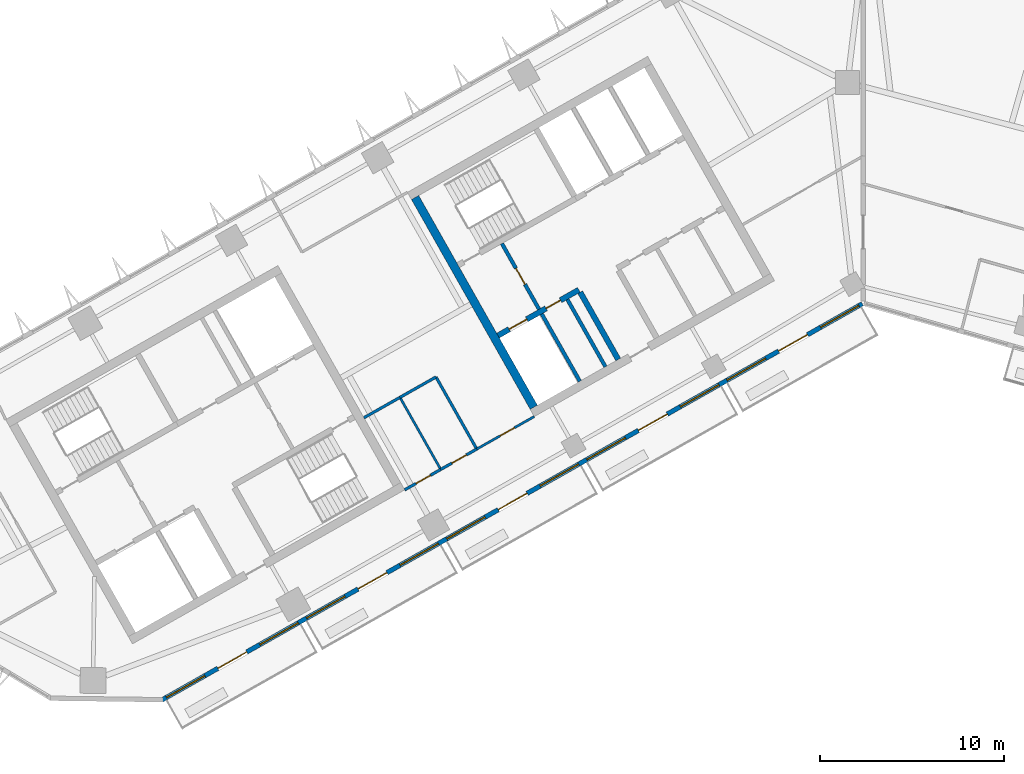
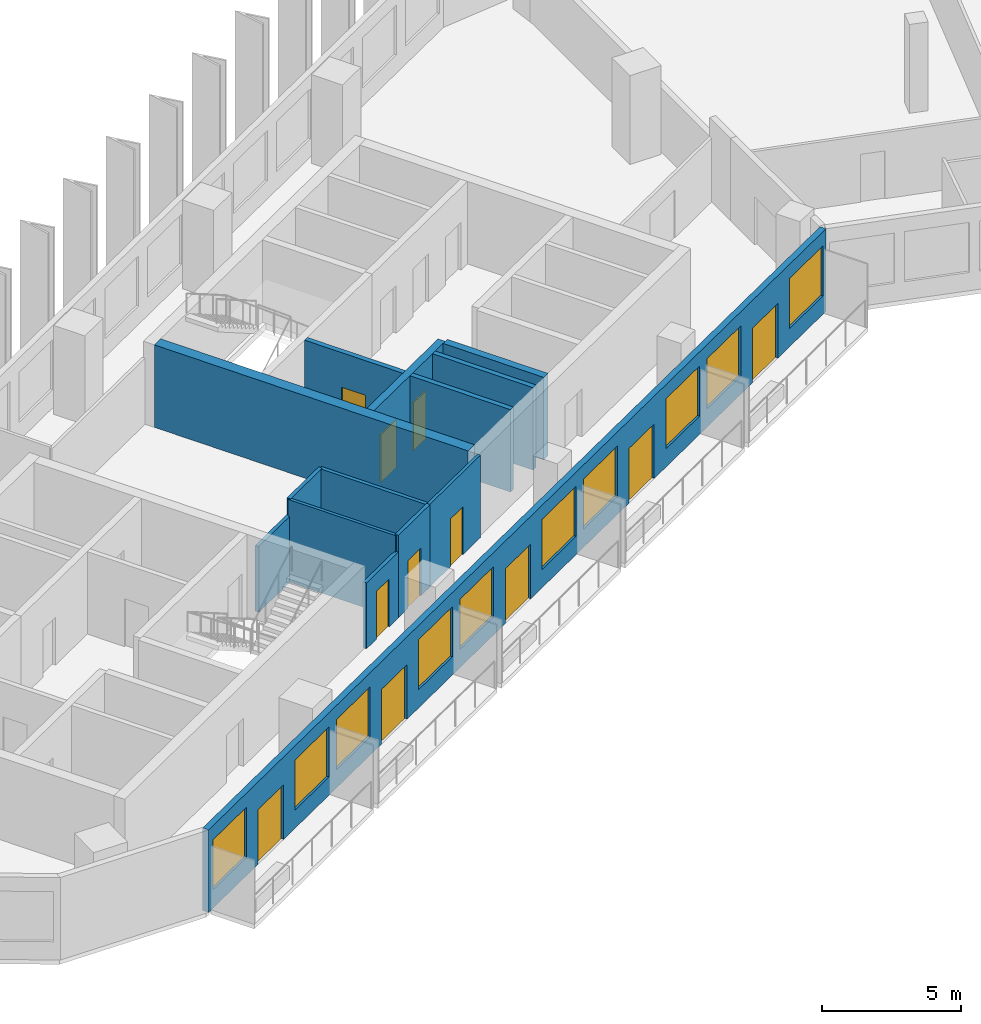
# One storey, part 5 of 12: 14 walls, 11 doors, 10 windows, 21 openings.
"""IFC4 building model written with IfcOpenShell, lengths in metres."""

from ifc_helpers import new_model, si_unit, direction, frame, frame_2d, origin, place, context, subcontext, project, spatial, rectangle, extrude, material, layer, layer_set, type_object, element, fill, save


model = new_model("IFC4")

# Units and contexts
model_context = context("Model", 3, precision=1e-05, world=origin(), true_north=direction((0.0, 1.0)))
body_context = subcontext(model_context, "Body", "Model", "MODEL_VIEW")
ifc_project = project(units=[si_unit("LENGTHUNIT", "METRE"), si_unit("AREAUNIT", "SQUARE_METRE"), si_unit("VOLUMEUNIT", "CUBIC_METRE"), si_unit("PLANEANGLEUNIT", "RADIAN"), si_unit("MASSUNIT", "GRAM", prefix="KILO")], contexts=[model_context])

# Site, building, storey
site_placement = place(None, origin())
site = spatial("IfcSite", under=ifc_project, at=site_placement, CompositionType="ELEMENT")
building_placement = place(site_placement, origin())
building = spatial("IfcBuilding", under=site, at=building_placement, Name="Binnacle Exchange Tower", CompositionType="ELEMENT")
storey_placement = place(building_placement, frame((0.0, 0.0, 246.5)))
storey = spatial("IfcBuildingStorey", under=building, at=storey_placement, Name="L54", CompositionType="ELEMENT", Elevation=246.5)

# Wall, openings, doors
ifc_material_1 = material(Name="Concrete C70/85", Category="concrete")
ifc_layer_1 = layer(ifc_material_1, 0.300048828125)
ifc_layer_set_1 = layer_set([ifc_layer_1], Name="Core wall - front 300")
wall_type_1 = type_object("IfcWallType", Name="Core wall - front 300", PredefinedType="SOLIDWALL", material=ifc_layer_set_1)
wall_1_placement = place(storey_placement, frame((-19.8486328125, 46.242431640625, 0.0), z_axis=(0.0, 0.0, 1.0), x_axis=(0.870347559728, 0.492437940532, 0.0)))
wall_1 = element("IfcWall", 1, at=wall_1_placement, inside=storey, type_object=wall_type_1, Name="Core wall CRWC2", PredefinedType="SOLIDWALL", context=body_context, shape_type="SweptSolid", body=[
    extrude(rectangle(XDim=5.050048828125, YDim=0.300048828125, at=frame_2d((2.52490234375, 0.0))), origin(), (0.0, 0.0, 1.0), 3.6201171875),
])
opening_1_placement = place(wall_1_placement, frame((0.7001953125, 0.0, 0.0)))
opening_1 = element("IfcOpeningElement", 2, at=opening_1_placement, cuts=wall_1, Name="Opening LD14", PredefinedType="OPENING", context=body_context, shape_type="SweptSolid", body=[
    extrude(rectangle(XDim=1.10009765625, YDim=2.10009765625, at=frame_2d((0.550048828125, 1.050048828125))), frame((0.0, 0.159912109375, 0.0), z_axis=(0.0, -1.0, 0.0), x_axis=(1.0, 0.0, 0.0)), (0.0, 0.0, 1.0), 0.320068359375),
])
opening_2_placement = place(wall_1_placement, frame((3.0, 0.0, 0.0)))
opening_2 = element("IfcOpeningElement", 3, at=opening_2_placement, cuts=wall_1, Name="Opening DC14", PredefinedType="OPENING", context=body_context, shape_type="SweptSolid", body=[
    extrude(rectangle(XDim=0.89990234375, YDim=2.10009765625, at=frame_2d((0.449951171875, 1.050048828125))), frame((0.0, 0.159912109375, 0.0), z_axis=(0.0, -1.0, 0.0), x_axis=(1.0, 0.0, 0.0)), (0.0, 0.0, 1.0), 0.320068359375),
])
ifc_material_2 = material(Name="Steel door leaf", Category="steel")
door_type_1 = type_object("IfcDoorType", Name="Fire door - lift landing 1100", OperationType="NOTDEFINED", PredefinedType="DOOR", material=ifc_material_2)
door_1_placement = place(opening_1_placement, origin())
door_1 = element("IfcDoor", 4, at=door_1_placement, inside=storey, type_object=door_type_1, Name="Landing door LD14 L54", OperationType="DOUBLE_DOOR_SLIDING", OverallHeight=2.10009765625, OverallWidth=1.10009765625, PredefinedType="DOOR", context=body_context, shape_type="SweptSolid", body=[
    extrude(rectangle(XDim=1.10009765625, YDim=2.10009765625, at=frame_2d((0.550048828125, 1.050048828125))), frame((0.0, 0.02490234375, 0.0), z_axis=(0.0, -1.0, 0.0), x_axis=(1.0, 0.0, 0.0)), (0.0, 0.0, 1.0), 0.050048828125),
])
fill(opening_1, door_1)
door_type_2 = type_object("IfcDoorType", Name="Fire door 900", OperationType="NOTDEFINED", PredefinedType="DOOR", material=ifc_material_2)
door_2_placement = place(opening_2_placement, frame((0.89990234375, 0.0, 0.0), z_axis=(0.0, 0.0, 1.0), x_axis=(-1.0, 0.0, 0.0)))
door_2 = element("IfcDoor", 5, at=door_2_placement, inside=storey, type_object=door_type_2, Name="Core room door CLEANERS STORE", OperationType="SINGLE_SWING_LEFT", OverallHeight=2.10009765625, OverallWidth=0.89990234375, PredefinedType="DOOR", context=body_context, shape_type="SweptSolid", body=[
    extrude(rectangle(XDim=0.89990234375, YDim=2.10009765625, at=frame_2d((0.449951171875, 1.050048828125))), frame((0.0, 0.02490234375, 0.0), z_axis=(0.0, -1.0, 0.0), x_axis=(1.0, 0.0, 0.0)), (0.0, 0.0, 1.0), 0.050048828125),
])
fill(opening_2, door_2)

# Walls
wall_2_placement = place(storey_placement, frame((-15.37939453125, 48.5986328125, 0.0), z_axis=(0.0, 0.0, 1.0), x_axis=(0.492409653846, -0.870363563575, 0.0)))
element("IfcWall", 6, at=wall_2_placement, inside=storey, type_object=wall_type_1, Name="Core wall CRWC13", PredefinedType="SOLIDWALL", context=body_context, shape_type="SweptSolid", body=[
    extrude(rectangle(XDim=4.199951171875, YDim=0.300048828125, at=frame_2d((2.10009765625, 0.0))), origin(), (0.0, 0.0, 1.0), 3.6201171875),
])
ifc_layer_2 = layer(ifc_material_1, 0.449951171875)
ifc_layer_set_2 = layer_set([ifc_layer_2], Name="Core wall - outer 450")
wall_type_2 = type_object("IfcWallType", Name="Core wall - outer 450", PredefinedType="SOLIDWALL", material=ifc_layer_set_2)
wall_3_placement = place(storey_placement, frame((-24.353271484375, 53.747314453125, 0.0), z_axis=(0.0, 0.0, 1.0), x_axis=(0.492435496286, -0.870348942665, 0.0)))
element("IfcWall", 7, at=wall_3_placement, inside=storey, type_object=wall_type_2, Name="Core wall CRWC7", PredefinedType="SOLIDWALL", context=body_context, shape_type="SweptSolid", body=[
    extrude(rectangle(XDim=13.10009765625, YDim=0.449951171875, at=frame_2d((6.550048828125, 0.0))), origin(), (0.0, 0.0, 1.0), 3.6201171875),
])

# Wall, openings, doors, windows
ifc_material_3 = material(Name="Bronze aluminium cladding", Category="aluminium")
ifc_layer_3 = layer(ifc_material_3, 0.25)
ifc_layer_set_3 = layer_set([ifc_layer_3], Name="External wall - window wall 250")
wall_type_3 = type_object("IfcWallType", Name="External wall - window wall 250", PredefinedType="STANDARD", material=ifc_layer_set_3)
wall_4_placement = place(storey_placement, frame((-0.045654296875, 47.97412109375, 0.0), z_axis=(0.0, 0.0, 1.0), x_axis=(-0.870356579543, -0.492421998337, 0.0)))
wall_4 = element("IfcWall", 8, at=wall_4_placement, inside=storey, type_object=wall_type_3, Name="External wall EW-G01 L54", PredefinedType="STANDARD", context=body_context, shape_type="SweptSolid", body=[
    extrude(rectangle(XDim=43.75390625, YDim=0.25, at=frame_2d((21.876953125, 0.0))), origin(), (0.0, 0.0, 1.0), 3.6201171875),
])
opening_3_placement = place(wall_4_placement, frame((41.061279296875, 0.0, 0.800048828125)))
opening_3 = element("IfcOpeningElement", 9, at=opening_3_placement, cuts=wall_4, Name="Opening WR1", PredefinedType="OPENING", context=body_context, shape_type="SweptSolid", body=[
    extrude(rectangle(XDim=2.39990234375, YDim=2.199951171875, at=frame_2d((1.199951171875, 1.10009765625))), frame((0.0, 0.135009765625, 0.0), z_axis=(0.0, -1.0, 0.0), x_axis=(1.0, 0.0, 0.0)), (0.0, 0.0, 1.0), 0.27001953125),
])
opening_4_placement = place(wall_4_placement, frame((38.443115234375, 0.0, 0.0)))
opening_4 = element("IfcOpeningElement", 10, at=opening_4_placement, cuts=wall_4, Name="Opening D-FS15-01", PredefinedType="OPENING", context=body_context, shape_type="SweptSolid", body=[
    extrude(rectangle(XDim=1.800048828125, YDim=2.39990234375, at=frame_2d((0.89990234375, 1.199951171875))), frame((0.0, 0.135009765625, 0.0), z_axis=(0.0, -1.0, 0.0), x_axis=(1.0, 0.0, 0.0)), (0.0, 0.0, 1.0), 0.27001953125),
])
opening_5_placement = place(wall_4_placement, frame((35.224853515625, 0.0, 0.800048828125)))
opening_5 = element("IfcOpeningElement", 11, at=opening_5_placement, cuts=wall_4, Name="Opening WR1", PredefinedType="OPENING", context=body_context, shape_type="SweptSolid", body=[
    extrude(rectangle(XDim=2.39990234375, YDim=2.199951171875, at=frame_2d((1.199951171875, 1.10009765625))), frame((0.0, 0.135009765625, 0.0), z_axis=(0.0, -1.0, 0.0), x_axis=(1.0, 0.0, 0.0)), (0.0, 0.0, 1.0), 0.27001953125),
])
opening_6_placement = place(wall_4_placement, frame((32.306640625, 0.0, 0.800048828125)))
opening_6 = element("IfcOpeningElement", 12, at=opening_6_placement, cuts=wall_4, Name="Opening WR1", PredefinedType="OPENING", context=body_context, shape_type="SweptSolid", body=[
    extrude(rectangle(XDim=2.39990234375, YDim=2.199951171875, at=frame_2d((1.199951171875, 1.10009765625))), frame((0.0, 0.135009765625, 0.0), z_axis=(0.0, -1.0, 0.0), x_axis=(1.0, 0.0, 0.0)), (0.0, 0.0, 1.0), 0.27001953125),
])
opening_7_placement = place(wall_4_placement, frame((29.6884765625, 0.0, 0.0)))
opening_7 = element("IfcOpeningElement", 13, at=opening_7_placement, cuts=wall_4, Name="Opening D-FS15-02", PredefinedType="OPENING", context=body_context, shape_type="SweptSolid", body=[
    extrude(rectangle(XDim=1.800048828125, YDim=2.39990234375, at=frame_2d((0.89990234375, 1.199951171875))), frame((0.0, 0.135009765625, 0.0), z_axis=(0.0, -1.0, 0.0), x_axis=(1.0, 0.0, 0.0)), (0.0, 0.0, 1.0), 0.27001953125),
])
opening_8_placement = place(wall_4_placement, frame((26.47021484375, 0.0, 0.800048828125)))
opening_8 = element("IfcOpeningElement", 14, at=opening_8_placement, cuts=wall_4, Name="Opening WR1", PredefinedType="OPENING", context=body_context, shape_type="SweptSolid", body=[
    extrude(rectangle(XDim=2.39990234375, YDim=2.199951171875, at=frame_2d((1.199951171875, 1.10009765625))), frame((0.0, 0.135009765625, 0.0), z_axis=(0.0, -1.0, 0.0), x_axis=(1.0, 0.0, 0.0)), (0.0, 0.0, 1.0), 0.27001953125),
])
opening_9_placement = place(wall_4_placement, frame((23.552001953125, 0.0, 0.800048828125)))
opening_9 = element("IfcOpeningElement", 15, at=opening_9_placement, cuts=wall_4, Name="Opening WR1", PredefinedType="OPENING", context=body_context, shape_type="SweptSolid", body=[
    extrude(rectangle(XDim=2.39990234375, YDim=2.199951171875, at=frame_2d((1.199951171875, 1.10009765625))), frame((0.0, 0.135009765625, 0.0), z_axis=(0.0, -1.0, 0.0), x_axis=(1.0, 0.0, 0.0)), (0.0, 0.0, 1.0), 0.27001953125),
])
opening_10_placement = place(wall_4_placement, frame((20.93408203125, 0.0, 0.0)))
opening_10 = element("IfcOpeningElement", 16, at=opening_10_placement, cuts=wall_4, Name="Opening D-FS15-03", PredefinedType="OPENING", context=body_context, shape_type="SweptSolid", body=[
    extrude(rectangle(XDim=1.7998046875, YDim=2.39990234375, at=frame_2d((0.89990234375, 1.199951171875))), frame((0.0, 0.135009765625, 0.0), z_axis=(0.0, -1.0, 0.0), x_axis=(1.0, 0.0, 0.0)), (0.0, 0.0, 1.0), 0.27001953125),
])
opening_11_placement = place(wall_4_placement, frame((17.7158203125, 0.0, 0.800048828125)))
opening_11 = element("IfcOpeningElement", 17, at=opening_11_placement, cuts=wall_4, Name="Opening WR1", PredefinedType="OPENING", context=body_context, shape_type="SweptSolid", body=[
    extrude(rectangle(XDim=2.39990234375, YDim=2.199951171875, at=frame_2d((1.199951171875, 1.10009765625))), frame((0.0, 0.135009765625, 0.0), z_axis=(0.0, -1.0, 0.0), x_axis=(1.0, 0.0, 0.0)), (0.0, 0.0, 1.0), 0.27001953125),
])
opening_12_placement = place(wall_4_placement, frame((14.797607421875, 0.0, 0.800048828125)))
opening_12 = element("IfcOpeningElement", 18, at=opening_12_placement, cuts=wall_4, Name="Opening WR1", PredefinedType="OPENING", context=body_context, shape_type="SweptSolid", body=[
    extrude(rectangle(XDim=2.39990234375, YDim=2.199951171875, at=frame_2d((1.199951171875, 1.10009765625))), frame((0.0, 0.135009765625, 0.0), z_axis=(0.0, -1.0, 0.0), x_axis=(1.0, 0.0, 0.0)), (0.0, 0.0, 1.0), 0.27001953125),
])
opening_13_placement = place(wall_4_placement, frame((12.179443359375, 0.0, 0.0)))
opening_13 = element("IfcOpeningElement", 19, at=opening_13_placement, cuts=wall_4, Name="Opening D-FS15-04", PredefinedType="OPENING", context=body_context, shape_type="SweptSolid", body=[
    extrude(rectangle(XDim=1.800048828125, YDim=2.39990234375, at=frame_2d((0.89990234375, 1.199951171875))), frame((0.0, 0.135009765625, 0.0), z_axis=(0.0, -1.0, 0.0), x_axis=(1.0, 0.0, 0.0)), (0.0, 0.0, 1.0), 0.27001953125),
])
opening_14_placement = place(wall_4_placement, frame((8.961181640625, 0.0, 0.800048828125)))
opening_14 = element("IfcOpeningElement", 20, at=opening_14_placement, cuts=wall_4, Name="Opening WR1", PredefinedType="OPENING", context=body_context, shape_type="SweptSolid", body=[
    extrude(rectangle(XDim=2.39990234375, YDim=2.199951171875, at=frame_2d((1.199951171875, 1.10009765625))), frame((0.0, 0.135009765625, 0.0), z_axis=(0.0, -1.0, 0.0), x_axis=(1.0, 0.0, 0.0)), (0.0, 0.0, 1.0), 0.27001953125),
])
opening_15_placement = place(wall_4_placement, frame((6.04296875, 0.0, 0.800048828125)))
opening_15 = element("IfcOpeningElement", 21, at=opening_15_placement, cuts=wall_4, Name="Opening WR1", PredefinedType="OPENING", context=body_context, shape_type="SweptSolid", body=[
    extrude(rectangle(XDim=2.400146484375, YDim=2.199951171875, at=frame_2d((1.2001953125, 1.10009765625))), frame((0.0, 0.135009765625, 0.0), z_axis=(0.0, -1.0, 0.0), x_axis=(1.0, 0.0, 0.0)), (0.0, 0.0, 1.0), 0.27001953125),
])
opening_16_placement = place(wall_4_placement, frame((3.4248046875, 0.0, 0.0)))
opening_16 = element("IfcOpeningElement", 22, at=opening_16_placement, cuts=wall_4, Name="Opening D-FS15-05", PredefinedType="OPENING", context=body_context, shape_type="SweptSolid", body=[
    extrude(rectangle(XDim=1.800048828125, YDim=2.39990234375, at=frame_2d((0.89990234375, 1.199951171875))), frame((0.0, 0.135009765625, 0.0), z_axis=(0.0, -1.0, 0.0), x_axis=(1.0, 0.0, 0.0)), (0.0, 0.0, 1.0), 0.27001953125),
])
opening_17_placement = place(wall_4_placement, frame((0.206787109375, 0.0, 0.800048828125)))
opening_17 = element("IfcOpeningElement", 23, at=opening_17_placement, cuts=wall_4, Name="Opening WR1", PredefinedType="OPENING", context=body_context, shape_type="SweptSolid", body=[
    extrude(rectangle(XDim=2.39990234375, YDim=2.199951171875, at=frame_2d((1.199951171875, 1.10009765625))), frame((0.0, 0.135009765625, 0.0), z_axis=(0.0, -1.0, 0.0), x_axis=(1.0, 0.0, 0.0)), (0.0, 0.0, 1.0), 0.27001953125),
])
ifc_material_4 = material(Name="Bronze anodised aluminium frame", Category="aluminium")
door_type_3 = type_object("IfcDoorType", Name="DB DOOR 1800x2400", OperationType="DOUBLE_DOOR_SINGLE_SWING", PredefinedType="DOOR", material=ifc_material_4)
door_3_placement = place(opening_4_placement, origin())
door_3 = element("IfcDoor", 24, at=door_3_placement, inside=storey, type_object=door_type_3, Name="Door D-FS15-01 L54", OperationType="DOUBLE_DOOR_SINGLE_SWING", OverallHeight=2.39990234375, OverallWidth=1.800048828125, PredefinedType="DOOR", context=body_context, shape_type="SweptSolid", body=[
    extrude(rectangle(XDim=1.800048828125, YDim=2.39990234375, at=frame_2d((0.89990234375, 1.199951171875))), frame((0.0, 0.02490234375, 0.0), z_axis=(0.0, -1.0, 0.0), x_axis=(1.0, 0.0, 0.0)), (0.0, 0.0, 1.0), 0.050048828125),
])
fill(opening_4, door_3)
door_4_placement = place(opening_7_placement, origin())
door_4 = element("IfcDoor", 25, at=door_4_placement, inside=storey, type_object=door_type_3, Name="Door D-FS15-02 L54", OperationType="DOUBLE_DOOR_SINGLE_SWING", OverallHeight=2.39990234375, OverallWidth=1.800048828125, PredefinedType="DOOR", context=body_context, shape_type="SweptSolid", body=[
    extrude(rectangle(XDim=1.800048828125, YDim=2.39990234375, at=frame_2d((0.89990234375, 1.199951171875))), frame((0.0, 0.02490234375, 0.0), z_axis=(0.0, -1.0, 0.0), x_axis=(1.0, 0.0, 0.0)), (0.0, 0.0, 1.0), 0.050048828125),
])
fill(opening_7, door_4)
door_5_placement = place(opening_10_placement, origin())
door_5 = element("IfcDoor", 26, at=door_5_placement, inside=storey, type_object=door_type_3, Name="Door D-FS15-03 L54", OperationType="DOUBLE_DOOR_SINGLE_SWING", OverallHeight=2.39990234375, OverallWidth=1.7998046875, PredefinedType="DOOR", context=body_context, shape_type="SweptSolid", body=[
    extrude(rectangle(XDim=1.7998046875, YDim=2.39990234375, at=frame_2d((0.89990234375, 1.199951171875))), frame((0.0, 0.02490234375, 0.0), z_axis=(0.0, -1.0, 0.0), x_axis=(1.0, 0.0, 0.0)), (0.0, 0.0, 1.0), 0.050048828125),
])
fill(opening_10, door_5)
door_6_placement = place(opening_13_placement, origin())
door_6 = element("IfcDoor", 27, at=door_6_placement, inside=storey, type_object=door_type_3, Name="Door D-FS15-04 L54", OperationType="DOUBLE_DOOR_SINGLE_SWING", OverallHeight=2.39990234375, OverallWidth=1.800048828125, PredefinedType="DOOR", context=body_context, shape_type="SweptSolid", body=[
    extrude(rectangle(XDim=1.800048828125, YDim=2.39990234375, at=frame_2d((0.89990234375, 1.199951171875))), frame((0.0, 0.02490234375, 0.0), z_axis=(0.0, -1.0, 0.0), x_axis=(1.0, 0.0, 0.0)), (0.0, 0.0, 1.0), 0.050048828125),
])
fill(opening_13, door_6)
door_7_placement = place(opening_16_placement, origin())
door_7 = element("IfcDoor", 28, at=door_7_placement, inside=storey, type_object=door_type_3, Name="Door D-FS15-05 L54", OperationType="DOUBLE_DOOR_SINGLE_SWING", OverallHeight=2.39990234375, OverallWidth=1.800048828125, PredefinedType="DOOR", context=body_context, shape_type="SweptSolid", body=[
    extrude(rectangle(XDim=1.800048828125, YDim=2.39990234375, at=frame_2d((0.89990234375, 1.199951171875))), frame((0.0, 0.02490234375, 0.0), z_axis=(0.0, -1.0, 0.0), x_axis=(1.0, 0.0, 0.0)), (0.0, 0.0, 1.0), 0.050048828125),
])
fill(opening_16, door_7)
window_type = type_object("IfcWindowType", Name="WR1 WINDOW 2400x2200", PartitioningType="SINGLE_PANEL", PredefinedType="WINDOW", material=ifc_material_4)
window_1_placement = place(opening_3_placement, origin())
window_1 = element("IfcWindow", 29, at=window_1_placement, inside=storey, type_object=window_type, Name="Window WR1 L54", OverallHeight=2.199951171875, OverallWidth=2.39990234375, PartitioningType="SINGLE_PANEL", PredefinedType="WINDOW", context=body_context, shape_type="SweptSolid", body=[
    extrude(rectangle(XDim=2.39990234375, YDim=2.199951171875, at=frame_2d((1.199951171875, 1.10009765625))), frame((0.0, 0.030029296875, 0.0), z_axis=(0.0, -1.0, 0.0), x_axis=(1.0, 0.0, 0.0)), (0.0, 0.0, 1.0), 0.06005859375),
])
fill(opening_3, window_1)
window_2_placement = place(opening_5_placement, origin())
window_2 = element("IfcWindow", 30, at=window_2_placement, inside=storey, type_object=window_type, Name="Window WR1 L54", OverallHeight=2.199951171875, OverallWidth=2.39990234375, PartitioningType="SINGLE_PANEL", PredefinedType="WINDOW", context=body_context, shape_type="SweptSolid", body=[
    extrude(rectangle(XDim=2.39990234375, YDim=2.199951171875, at=frame_2d((1.199951171875, 1.10009765625))), frame((0.0, 0.030029296875, 0.0), z_axis=(0.0, -1.0, 0.0), x_axis=(1.0, 0.0, 0.0)), (0.0, 0.0, 1.0), 0.06005859375),
])
fill(opening_5, window_2)
window_3_placement = place(opening_6_placement, origin())
window_3 = element("IfcWindow", 31, at=window_3_placement, inside=storey, type_object=window_type, Name="Window WR1 L54", OverallHeight=2.199951171875, OverallWidth=2.39990234375, PartitioningType="SINGLE_PANEL", PredefinedType="WINDOW", context=body_context, shape_type="SweptSolid", body=[
    extrude(rectangle(XDim=2.39990234375, YDim=2.199951171875, at=frame_2d((1.199951171875, 1.10009765625))), frame((0.0, 0.030029296875, 0.0), z_axis=(0.0, -1.0, 0.0), x_axis=(1.0, 0.0, 0.0)), (0.0, 0.0, 1.0), 0.06005859375),
])
fill(opening_6, window_3)
window_4_placement = place(opening_8_placement, origin())
window_4 = element("IfcWindow", 32, at=window_4_placement, inside=storey, type_object=window_type, Name="Window WR1 L54", OverallHeight=2.199951171875, OverallWidth=2.39990234375, PartitioningType="SINGLE_PANEL", PredefinedType="WINDOW", context=body_context, shape_type="SweptSolid", body=[
    extrude(rectangle(XDim=2.39990234375, YDim=2.199951171875, at=frame_2d((1.199951171875, 1.10009765625))), frame((0.0, 0.030029296875, 0.0), z_axis=(0.0, -1.0, 0.0), x_axis=(1.0, 0.0, 0.0)), (0.0, 0.0, 1.0), 0.06005859375),
])
fill(opening_8, window_4)
window_5_placement = place(opening_9_placement, origin())
window_5 = element("IfcWindow", 33, at=window_5_placement, inside=storey, type_object=window_type, Name="Window WR1 L54", OverallHeight=2.199951171875, OverallWidth=2.39990234375, PartitioningType="SINGLE_PANEL", PredefinedType="WINDOW", context=body_context, shape_type="SweptSolid", body=[
    extrude(rectangle(XDim=2.39990234375, YDim=2.199951171875, at=frame_2d((1.199951171875, 1.10009765625))), frame((0.0, 0.030029296875, 0.0), z_axis=(0.0, -1.0, 0.0), x_axis=(1.0, 0.0, 0.0)), (0.0, 0.0, 1.0), 0.06005859375),
])
fill(opening_9, window_5)
window_6_placement = place(opening_11_placement, origin())
window_6 = element("IfcWindow", 34, at=window_6_placement, inside=storey, type_object=window_type, Name="Window WR1 L54", OverallHeight=2.199951171875, OverallWidth=2.39990234375, PartitioningType="SINGLE_PANEL", PredefinedType="WINDOW", context=body_context, shape_type="SweptSolid", body=[
    extrude(rectangle(XDim=2.39990234375, YDim=2.199951171875, at=frame_2d((1.199951171875, 1.10009765625))), frame((0.0, 0.030029296875, 0.0), z_axis=(0.0, -1.0, 0.0), x_axis=(1.0, 0.0, 0.0)), (0.0, 0.0, 1.0), 0.06005859375),
])
fill(opening_11, window_6)
window_7_placement = place(opening_12_placement, origin())
window_7 = element("IfcWindow", 35, at=window_7_placement, inside=storey, type_object=window_type, Name="Window WR1 L54", OverallHeight=2.199951171875, OverallWidth=2.39990234375, PartitioningType="SINGLE_PANEL", PredefinedType="WINDOW", context=body_context, shape_type="SweptSolid", body=[
    extrude(rectangle(XDim=2.39990234375, YDim=2.199951171875, at=frame_2d((1.199951171875, 1.10009765625))), frame((0.0, 0.030029296875, 0.0), z_axis=(0.0, -1.0, 0.0), x_axis=(1.0, 0.0, 0.0)), (0.0, 0.0, 1.0), 0.06005859375),
])
fill(opening_12, window_7)
window_8_placement = place(opening_14_placement, origin())
window_8 = element("IfcWindow", 36, at=window_8_placement, inside=storey, type_object=window_type, Name="Window WR1 L54", OverallHeight=2.199951171875, OverallWidth=2.39990234375, PartitioningType="SINGLE_PANEL", PredefinedType="WINDOW", context=body_context, shape_type="SweptSolid", body=[
    extrude(rectangle(XDim=2.39990234375, YDim=2.199951171875, at=frame_2d((1.199951171875, 1.10009765625))), frame((0.0, 0.030029296875, 0.0), z_axis=(0.0, -1.0, 0.0), x_axis=(1.0, 0.0, 0.0)), (0.0, 0.0, 1.0), 0.06005859375),
])
fill(opening_14, window_8)
window_9_placement = place(opening_15_placement, origin())
window_9 = element("IfcWindow", 37, at=window_9_placement, inside=storey, type_object=window_type, Name="Window WR1 L54", OverallHeight=2.199951171875, OverallWidth=2.400146484375, PartitioningType="SINGLE_PANEL", PredefinedType="WINDOW", context=body_context, shape_type="SweptSolid", body=[
    extrude(rectangle(XDim=2.400146484375, YDim=2.199951171875, at=frame_2d((1.2001953125, 1.10009765625))), frame((0.0, 0.030029296875, 0.0), z_axis=(0.0, -1.0, 0.0), x_axis=(1.0, 0.0, 0.0)), (0.0, 0.0, 1.0), 0.06005859375),
])
fill(opening_15, window_9)
window_10_placement = place(opening_17_placement, origin())
window_10 = element("IfcWindow", 38, at=window_10_placement, inside=storey, type_object=window_type, Name="Window WR1 L54", OverallHeight=2.199951171875, OverallWidth=2.39990234375, PartitioningType="SINGLE_PANEL", PredefinedType="WINDOW", context=body_context, shape_type="SweptSolid", body=[
    extrude(rectangle(XDim=2.39990234375, YDim=2.199951171875, at=frame_2d((1.199951171875, 1.10009765625))), frame((0.0, 0.030029296875, 0.0), z_axis=(0.0, -1.0, 0.0), x_axis=(1.0, 0.0, 0.0)), (0.0, 0.0, 1.0), 0.06005859375),
])
fill(opening_17, window_10)

# Wall, opening, door
ifc_material_5 = material(Name="Masonry block wall", Category="masonry")
ifc_layer_4 = layer(ifc_material_5, 0.199951171875)
ifc_layer_set_4 = layer_set([ifc_layer_4], Name="Fire wall - vestibule 200")
wall_type_4 = type_object("IfcWallType", Name="Fire wall - vestibule 200", PredefinedType="PARTITIONING", material=ifc_layer_set_4)
wall_5_placement = place(storey_placement, frame((-19.635009765625, 51.246337890625, 0.0), z_axis=(0.0, 0.0, 1.0), x_axis=(0.492408451753, -0.87036424366, 0.0)))
wall_5 = element("IfcWall", 39, at=wall_5_placement, inside=storey, type_object=wall_type_4, Name="Core wall CRWC10", PredefinedType="PARTITIONING", context=body_context, shape_type="SweptSolid", body=[
    extrude(rectangle(XDim=4.099853515625, YDim=0.199951171875, at=frame_2d((2.0498046875, 0.0))), origin(), (0.0, 0.0, 1.0), 3.6201171875),
])
opening_18_placement = place(wall_5_placement, frame((1.550048828125, 0.0, 0.0)))
opening_18 = element("IfcOpeningElement", 40, at=opening_18_placement, cuts=wall_5, Name="Opening DC3", PredefinedType="OPENING", context=body_context, shape_type="SweptSolid", body=[
    extrude(rectangle(XDim=1.0, YDim=2.10009765625, at=frame_2d((0.5, 1.050048828125))), frame((0.0, 0.10986328125, 0.0), z_axis=(0.0, -1.0, 0.0), x_axis=(1.0, 0.0, 0.0)), (0.0, 0.0, 1.0), 0.219970703125),
])
door_type_4 = type_object("IfcDoorType", Name="Fire door 1000", OperationType="NOTDEFINED", PredefinedType="DOOR", material=ifc_material_2)
door_8_placement = place(opening_18_placement, frame((1.0, 0.0, 0.0), z_axis=(0.0, 0.0, 1.0), x_axis=(-1.0, 0.0, 0.0)))
door_8 = element("IfcDoor", 41, at=door_8_placement, inside=storey, type_object=door_type_4, Name="Vestibule door VEST-W", OperationType="SINGLE_SWING_RIGHT", OverallHeight=2.10009765625, OverallWidth=1.0, PredefinedType="DOOR", context=body_context, shape_type="SweptSolid", body=[
    extrude(rectangle(XDim=1.0, YDim=2.10009765625, at=frame_2d((0.5, 1.050048828125))), frame((0.0, 0.02490234375, 0.0), z_axis=(0.0, -1.0, 0.0), x_axis=(1.0, 0.0, 0.0)), (0.0, 0.0, 1.0), 0.050048828125),
])
fill(opening_18, door_8)

# Walls
ifc_material_6 = material(Name="Gypsum partition fire rated")
ifc_layer_5 = layer(ifc_material_6, 0.14990234375)
ifc_layer_set_5 = layer_set([ifc_layer_5], Name="Fire-rated partition 150")
wall_type_5 = type_object("IfcWallType", Name="Fire-rated partition 150", PredefinedType="PARTITIONING", material=ifc_layer_set_5)
wall_6_placement = place(storey_placement, frame((-27.134033203125, 41.77587890625, 0.0), z_axis=(0.0, 0.0, 1.0), x_axis=(0.870285818058, 0.4925470484, 0.0)))
element("IfcWall", 42, at=wall_6_placement, inside=storey, type_object=wall_type_5, Name="Partition W08", PredefinedType="PARTITIONING", context=body_context, shape_type="SweptSolid", body=[
    extrude(rectangle(XDim=2.249755859375, YDim=0.14990234375, at=frame_2d((1.125, 0.0))), origin(), (0.0, 0.0, 1.0), 2.89208984375),
])
wall_7_placement = place(storey_placement, frame((-25.176025390625, 42.884033203125, 0.0), z_axis=(0.0, 0.0, 1.0), x_axis=(0.870332332106, 0.492464853254, 0.0)))
element("IfcWall", 43, at=wall_7_placement, inside=storey, type_object=wall_type_5, Name="Partition W09", PredefinedType="PARTITIONING", context=body_context, shape_type="SweptSolid", body=[
    extrude(rectangle(XDim=2.249755859375, YDim=0.14990234375, at=frame_2d((1.125, 0.0))), origin(), (0.0, 0.0, 1.0), 3.6201171875),
])

# Wall, opening, door
wall_8_placement = place(storey_placement, frame((-24.9189453125, 37.85888671875, 0.0), z_axis=(0.0, 0.0, 1.0), x_axis=(0.870391061957, 0.492361045641, 0.0)))
wall_8 = element("IfcWall", 44, at=wall_8_placement, inside=storey, type_object=wall_type_5, Name="Partition W11", PredefinedType="PARTITIONING", context=body_context, shape_type="SweptSolid", body=[
    extrude(rectangle(XDim=2.250732421875, YDim=0.14990234375, at=frame_2d((1.12548828125, 0.0))), origin(), (0.0, 0.0, 1.0), 2.89208984375),
])
opening_19_placement = place(wall_8_placement, frame((0.699951171875, 0.0, 0.0)))
opening_19 = element("IfcOpeningElement", 45, at=opening_19_placement, cuts=wall_8, Name="Opening DL52-02", PredefinedType="OPENING", context=body_context, shape_type="SweptSolid", body=[
    extrude(rectangle(XDim=0.89990234375, YDim=2.10009765625, at=frame_2d((0.449951171875, 1.050048828125))), frame((0.0, 0.0849609375, 0.0), z_axis=(0.0, -1.0, 0.0), x_axis=(1.0, 0.0, 0.0)), (0.0, 0.0, 1.0), 0.169921875),
])
door_9_placement = place(opening_19_placement, origin())
door_9 = element("IfcDoor", 46, at=door_9_placement, inside=storey, type_object=door_type_2, Name="Door DL52-02", OperationType="SINGLE_SWING_RIGHT", OverallHeight=2.10009765625, OverallWidth=0.89990234375, PredefinedType="DOOR", context=body_context, shape_type="SweptSolid", body=[
    extrude(rectangle(XDim=0.89990234375, YDim=2.10009765625, at=frame_2d((0.449951171875, 1.050048828125))), frame((0.0, 0.02490234375, 0.0), z_axis=(0.0, -1.0, 0.0), x_axis=(1.0, 0.0, 0.0)), (0.0, 0.0, 1.0), 0.050048828125),
])
fill(opening_19, door_9)

# Wall
wall_9_placement = place(storey_placement, frame((-23.218017578125, 43.991943359375, 0.0), z_axis=(0.0, 0.0, 1.0), x_axis=(0.492412939134, -0.87036170491, 0.0)))
element("IfcWall", 47, at=wall_9_placement, inside=storey, type_object=wall_type_5, Name="Partition W12", PredefinedType="PARTITIONING", context=body_context, shape_type="SweptSolid", body=[
    extrude(rectangle(XDim=4.50048828125, YDim=0.14990234375, at=frame_2d((2.250244140625, 0.0))), origin(), (0.0, 0.0, 1.0), 3.6201171875),
])

# Wall, opening, door
wall_10_placement = place(storey_placement, frame((-22.9599609375, 38.967041015625, 0.0), z_axis=(0.0, 0.0, 1.0), x_axis=(0.870332332106, 0.492464853254, 0.0)))
wall_10 = element("IfcWall", 48, at=wall_10_placement, inside=storey, type_object=wall_type_5, Name="Partition W13", PredefinedType="PARTITIONING", context=body_context, shape_type="SweptSolid", body=[
    extrude(rectangle(XDim=2.249755859375, YDim=0.14990234375, at=frame_2d((1.125, 0.0))), origin(), (0.0, 0.0, 1.0), 3.6201171875),
])
opening_20_placement = place(wall_10_placement, frame((0.699951171875, 0.0, 0.0)))
opening_20 = element("IfcOpeningElement", 49, at=opening_20_placement, cuts=wall_10, Name="Opening DL52-03", PredefinedType="OPENING", context=body_context, shape_type="SweptSolid", body=[
    extrude(rectangle(XDim=0.89990234375, YDim=2.10009765625, at=frame_2d((0.449951171875, 1.050048828125))), frame((0.0, 0.0849609375, 0.0), z_axis=(0.0, -1.0, 0.0), x_axis=(1.0, 0.0, 0.0)), (0.0, 0.0, 1.0), 0.169921875),
])
door_10_placement = place(opening_20_placement, origin())
door_10 = element("IfcDoor", 50, at=door_10_placement, inside=storey, type_object=door_type_2, Name="Door DL52-03", OperationType="SINGLE_SWING_RIGHT", OverallHeight=2.10009765625, OverallWidth=0.89990234375, PredefinedType="DOOR", context=body_context, shape_type="SweptSolid", body=[
    extrude(rectangle(XDim=0.89990234375, YDim=2.10009765625, at=frame_2d((0.449951171875, 1.050048828125))), frame((0.0, 0.02490234375, 0.0), z_axis=(0.0, -1.0, 0.0), x_axis=(1.0, 0.0, 0.0)), (0.0, 0.0, 1.0), 0.050048828125),
])
fill(opening_20, door_10)

# Wall
ifc_material_7 = material(Name="Gypsum partition")
ifc_layer_6 = layer(ifc_material_7, 0.125)
ifc_layer_set_6 = layer_set([ifc_layer_6], Name="Partition 125")
wall_type_6 = type_object("IfcWallType", Name="Partition 125", PredefinedType="PARTITIONING", material=ifc_layer_set_6)
wall_11_placement = place(storey_placement, frame((-25.176025390625, 42.884033203125, 0.0), z_axis=(0.0, 0.0, 1.0), x_axis=(0.492412939134, -0.87036170491, 0.0)))
element("IfcWall", 51, at=wall_11_placement, inside=storey, type_object=wall_type_6, Name="Partition W10", PredefinedType="PARTITIONING", context=body_context, shape_type="SweptSolid", body=[
    extrude(rectangle(XDim=4.50048828125, YDim=0.125, at=frame_2d((2.250244140625, 0.0))), origin(), (0.0, 0.0, 1.0), 3.6201171875),
])

# Wall, opening, door
wall_12_placement = place(storey_placement, frame((-21.001953125, 40.074951171875, 0.0), z_axis=(0.0, 0.0, 1.0), x_axis=(0.870352535776, 0.492429145632, 0.0)))
wall_12 = element("IfcWall", 52, at=wall_12_placement, inside=storey, type_object=wall_type_6, Name="Partition W14", PredefinedType="PARTITIONING", context=body_context, shape_type="SweptSolid", body=[
    extrude(rectangle(XDim=3.590576171875, YDim=0.125, at=frame_2d((1.79541015625, 0.0))), origin(), (0.0, 0.0, 1.0), 3.6201171875),
])
opening_21_placement = place(wall_12_placement, frame((1.449951171875, 0.0, 0.0)))
opening_21 = element("IfcOpeningElement", 53, at=opening_21_placement, cuts=wall_12, Name="Opening DL52-04", PredefinedType="OPENING", context=body_context, shape_type="SweptSolid", body=[
    extrude(rectangle(XDim=0.89990234375, YDim=2.10009765625, at=frame_2d((0.449951171875, 1.050048828125))), frame((0.0, 0.072509765625, 0.0), z_axis=(0.0, -1.0, 0.0), x_axis=(1.0, 0.0, 0.0)), (0.0, 0.0, 1.0), 0.14501953125),
])
ifc_material_8 = material(Name="Timber door leaf", Category="wood")
door_type_5 = type_object("IfcDoorType", Name="Door 900", OperationType="NOTDEFINED", PredefinedType="DOOR", material=ifc_material_8)
door_11_placement = place(opening_21_placement, origin())
door_11 = element("IfcDoor", 54, at=door_11_placement, inside=storey, type_object=door_type_5, Name="Door DL52-04", OperationType="SINGLE_SWING_RIGHT", OverallHeight=2.10009765625, OverallWidth=0.89990234375, PredefinedType="DOOR", context=body_context, shape_type="SweptSolid", body=[
    extrude(rectangle(XDim=0.89990234375, YDim=2.10009765625, at=frame_2d((0.449951171875, 1.050048828125))), frame((0.0, 0.02490234375, 0.0), z_axis=(0.0, -1.0, 0.0), x_axis=(1.0, 0.0, 0.0)), (0.0, 0.0, 1.0), 0.050048828125),
])
fill(opening_21, door_11)

# Walls
ifc_layer_7 = layer(ifc_material_5, 0.199951171875)
ifc_layer_set_7 = layer_set([ifc_layer_7], Name="Riser wall 200")
wall_type_7 = type_object("IfcWallType", Name="Riser wall 200", PredefinedType="SOLIDWALL", material=ifc_layer_set_7)
wall_13_placement = place(storey_placement, frame((-16.07568359375, 48.20458984375, 0.0), z_axis=(0.0, 0.0, 1.0), x_axis=(0.49243456751, -0.870349468157, 0.0)))
element("IfcWall", 55, at=wall_13_placement, inside=storey, type_object=wall_type_7, Name="Core wall CRWC12", PredefinedType="SOLIDWALL", context=body_context, shape_type="SweptSolid", body=[
    extrude(rectangle(XDim=4.19970703125, YDim=0.199951171875, at=frame_2d((2.099853515625, 0.0))), origin(), (0.0, 0.0, 1.0), 3.6201171875),
])
ifc_layer_8 = layer(ifc_material_5, 0.199951171875)
ifc_layer_set_8 = layer_set([ifc_layer_8], Name="Shaft wall 200")
wall_type_8 = type_object("IfcWallType", Name="Shaft wall 200", PredefinedType="SOLIDWALL", material=ifc_layer_set_8)
wall_14_placement = place(storey_placement, frame((-17.468505859375, 47.416748046875, 0.0), z_axis=(0.0, 0.0, 1.0), x_axis=(0.492453686477, -0.870338650569, 0.0)))
element("IfcWall", 56, at=wall_14_placement, inside=storey, type_object=wall_type_8, Name="Core wall CRWC9", PredefinedType="SOLIDWALL", context=body_context, shape_type="SweptSolid", body=[
    extrude(rectangle(XDim=4.2001953125, YDim=0.199951171875, at=frame_2d((2.10009765625, 0.0))), origin(), (0.0, 0.0, 1.0), 3.6201171875),
])

save(model, "model.ifc")
